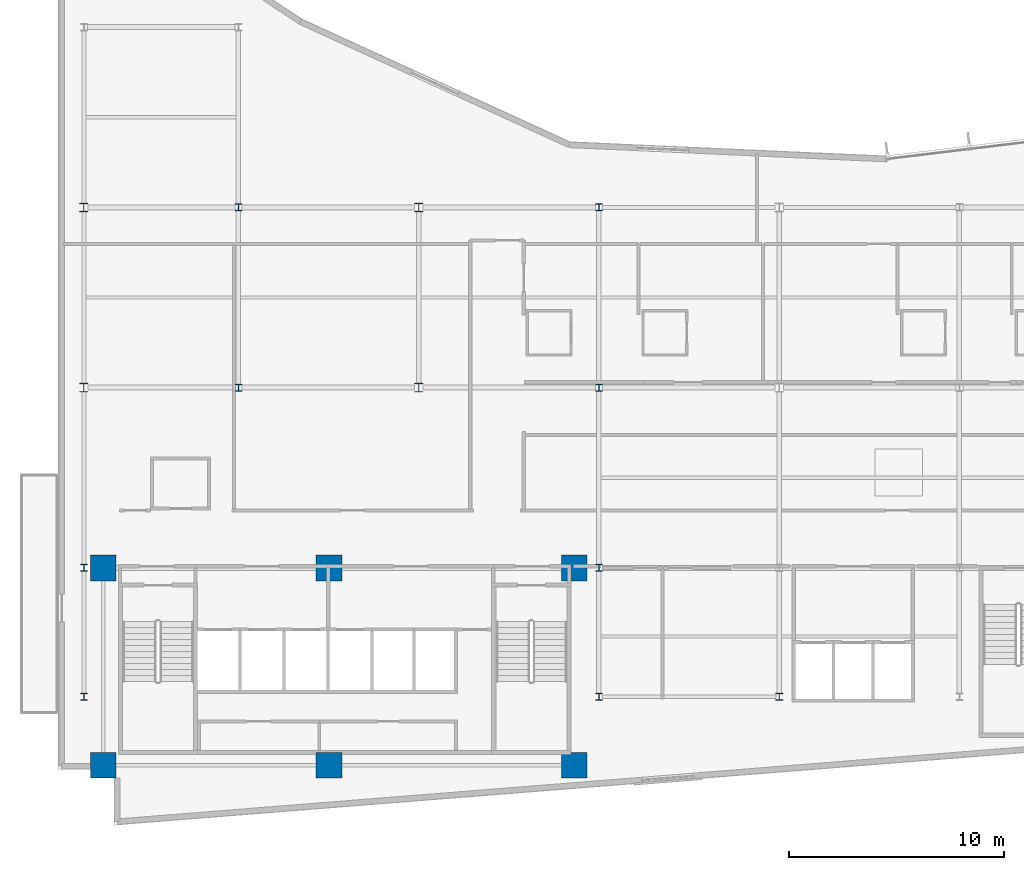
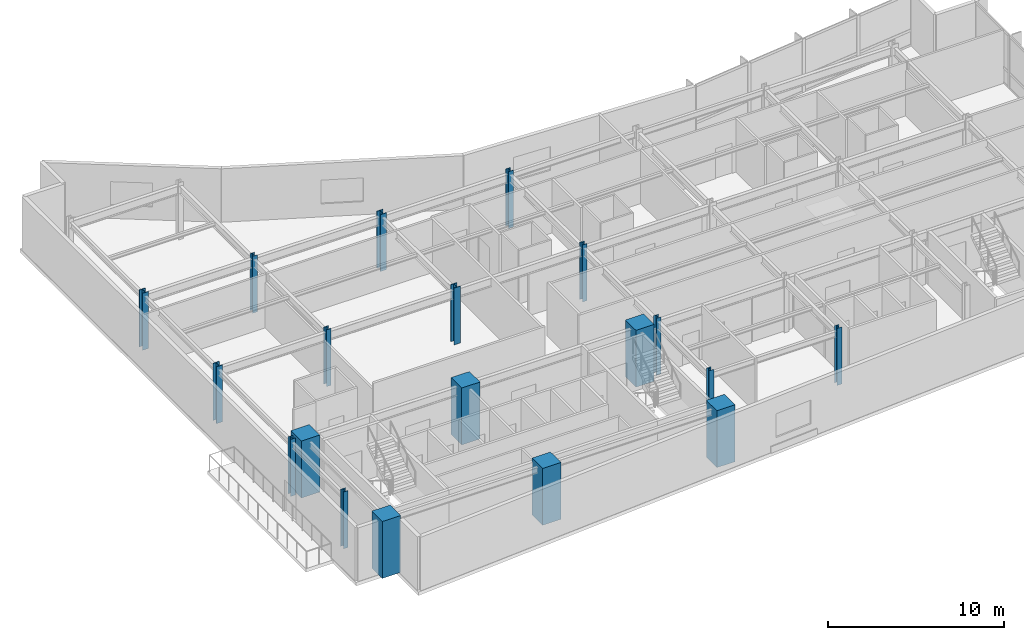
# One storey, part 1 of 18: 19 columns.
"""IFC4 building model written with IfcOpenShell, lengths in metres."""

from ifc_helpers import new_model, si_unit, direction, frame, origin, origin_2d, place, context, subcontext, project, spatial, rectangle, i_section, extrude, material, material_profile, profile_set, type_object, element, save


model = new_model("IFC4")

# Units and contexts
model_context = context("Model", 3, precision=1e-05, world=origin(), true_north=direction((0.0, 1.0)))
body_context = subcontext(model_context, "Body", "Model", "MODEL_VIEW")
ifc_project = project(units=[si_unit("LENGTHUNIT", "METRE"), si_unit("AREAUNIT", "SQUARE_METRE"), si_unit("VOLUMEUNIT", "CUBIC_METRE"), si_unit("PLANEANGLEUNIT", "RADIAN"), si_unit("MASSUNIT", "GRAM", prefix="KILO")], contexts=[model_context])

# Site, building, storey
site_placement = place(None, origin())
site = spatial("IfcSite", under=ifc_project, at=site_placement, CompositionType="ELEMENT")
building_placement = place(site_placement, origin())
building = spatial("IfcBuilding", under=site, at=building_placement, Name="Varnakote Quay Hospital", CompositionType="ELEMENT")
storey_placement = place(building_placement, frame((0.0, 0.0, 138.89990234375)))
storey = spatial("IfcBuildingStorey", under=building, at=storey_placement, Name="L34", CompositionType="ELEMENT", Elevation=138.89990234375)

# Columns
ifc_material_1 = material(Name="Concrete N80 (f'c 80 MPa)", Category="concrete")
ifc_material_profile_1 = material_profile(ifc_material_1, rectangle(XDim=1.199951171875, YDim=1.199951171875, at=origin_2d()), Name="RC-COL-1200x1200")
ifc_profile_set_1 = profile_set([ifc_material_profile_1], Name="Concrete N80 (f'c 80 MPa)")
column_type_1 = type_object("IfcColumnType", Name="COL-RC-1200", PredefinedType="COLUMN", material=ifc_profile_set_1)
for number, where, z_axis, x_axis, name in (
    (1, (2.10009765625, 2.800048828125, 0.0), (0.0, 0.0, 1.0), (1.0, 0.0, 0.0), "L34 Structural Column C-2-3"),
    (2, (12.6201171875, 2.800048828125, 0.0), (0.0, 0.0, 1.0), (1.0, 0.0, 0.0), "L34 Structural Column C-13-3"),
    (3, (24.050048828125, 2.800048828125, 0.0), (0.0, 0.0, 1.0), (1.0, 0.0, 0.0), "L34 Structural Column C-24-3"),
    (4, (2.10009765625, 12.0, 0.0), (0.0, 0.0, 1.0), (1.0, 0.0, 0.0), "L34 Structural Column C-2-12"),
    (5, (12.6201171875, 12.0, 0.0), (0.0, 0.0, 1.0), (1.0, 0.0, 0.0), "L34 Structural Column C-13-12"),
    (6, (24.050048828125, 12.0, 0.0), (0.0, 0.0, 1.0), (1.0, 0.0, 0.0), "L34 Structural Column C-24-12"),
):
    element("IfcColumn", number, at=place(storey_placement, frame(where, z_axis=z_axis, x_axis=x_axis)), inside=storey, type_object=column_type_1, Name=name, PredefinedType="COLUMN", context=body_context, shape_type="SweptSolid", body=[
        extrude(rectangle(XDim=1.199951171875, YDim=1.199951171875, at=origin_2d()), origin(), (0.0, 0.0, 1.0), 3.9501953125),
    ])
ifc_material_2 = material(Name="Structural steel AS/NZS 3679.1 Grade 350 L0 (fy 340 MPa)", Category="steel")
ifc_material_profile_2 = material_profile(ifc_material_2, i_section(OverallWidth=0.30908203125, OverallDepth=0.321044921875, WebThickness=0.013916015625, FlangeThickness=0.021728515625, FilletRadius=0.0166015625, at=origin_2d()), Name="310UC137")
ifc_profile_set_2 = profile_set([ifc_material_profile_2], Name="Structural steel AS/NZS 3679.1 Grade 350 L0 (fy 340 MPa)")
column_type_2 = type_object("IfcColumnType", Name="COL-STL-310UC137", PredefinedType="COLUMN", material=ifc_profile_set_2)
for number, where, z_axis, x_axis, name in (
    (7, (1.199951171875, 6.0, 0.0), (0.0, 0.0, 1.0), (1.0, 0.0, 0.0), "L34 Structural Column C-1-6"),
    (8, (25.199951171875, 6.0, 0.0), (0.0, 0.0, 1.0), (1.0, 0.0, 0.0), "L34 Structural Column C-25-6"),
    (9, (33.60009765625, 6.0, 0.0), (0.0, 0.0, 1.0), (1.0, 0.0, 0.0), "L34 Structural Column C-34-6"),
    (10, (1.199951171875, 12.0, 0.0), (0.0, 0.0, 1.0), (1.0, 0.0, 0.0), "L34 Structural Column C-1-12"),
    (11, (25.199951171875, 12.0, 0.0), (0.0, 0.0, 1.0), (1.0, 0.0, 0.0), "L34 Structural Column C-25-12"),
    (12, (8.39990234375, 20.39990234375, 0.0), (0.0, 0.0, 1.0), (1.0, 0.0, 0.0), "L34 Structural Column C-8-20"),
    (13, (25.199951171875, 20.39990234375, 0.0), (0.0, 0.0, 1.0), (1.0, 0.0, 0.0), "L34 Structural Column C-25-20"),
    (14, (8.39990234375, 28.800048828125, 0.0), (0.0, 0.0, 1.0), (1.0, 0.0, 0.0), "L34 Structural Column C-8-29"),
    (15, (25.199951171875, 28.800048828125, 0.0), (0.0, 0.0, 1.0), (1.0, 0.0, 0.0), "L34 Structural Column C-25-29"),
):
    element("IfcColumn", number, at=place(storey_placement, frame(where, z_axis=z_axis, x_axis=x_axis)), inside=storey, type_object=column_type_2, Name=name, PredefinedType="COLUMN", context=body_context, shape_type="SweptSolid", body=[
        extrude(i_section(OverallWidth=0.30908203125, OverallDepth=0.321044921875, WebThickness=0.013916015625, FlangeThickness=0.021728515625, FilletRadius=0.0166015625, at=origin_2d()), origin(), (0.0, 0.0, 1.0), 3.9501953125),
    ])
ifc_material_3 = material(Name="Structural steel AS/NZS 3678 Grade 350 (fy 340 MPa)", Category="steel")
ifc_material_profile_3 = material_profile(ifc_material_3, i_section(OverallWidth=0.39990234375, OverallDepth=0.419921875, WebThickness=0.02490234375, FlangeThickness=0.0400390625, at=origin_2d()), Name="400WC328")
ifc_profile_set_3 = profile_set([ifc_material_profile_3], Name="Structural steel AS/NZS 3678 Grade 350 (fy 340 MPa)")
column_type_3 = type_object("IfcColumnType", Name="COL-STL-400WC328", PredefinedType="COLUMN", material=ifc_profile_set_3)
for number, where, z_axis, x_axis, name in (
    (16, (1.199951171875, 20.39990234375, 0.0), (0.0, 0.0, 1.0), (1.0, 0.0, 0.0), "L34 Structural Column C-1-20"),
    (17, (16.800048828125, 20.39990234375, 0.0), (0.0, 0.0, 1.0), (1.0, 0.0, 0.0), "L34 Structural Column C-17-20"),
    (18, (1.199951171875, 28.800048828125, 0.0), (0.0, 0.0, 1.0), (1.0, 0.0, 0.0), "L34 Structural Column C-1-29"),
    (19, (16.800048828125, 28.800048828125, 0.0), (0.0, 0.0, 1.0), (1.0, 0.0, 0.0), "L34 Structural Column C-17-29"),
):
    element("IfcColumn", number, at=place(storey_placement, frame(where, z_axis=z_axis, x_axis=x_axis)), inside=storey, type_object=column_type_3, Name=name, PredefinedType="COLUMN", context=body_context, shape_type="SweptSolid", body=[
        extrude(i_section(OverallWidth=0.39990234375, OverallDepth=0.419921875, WebThickness=0.02490234375, FlangeThickness=0.0400390625, at=origin_2d()), origin(), (0.0, 0.0, 1.0), 3.9501953125),
    ])

save(model, "model.ifc")
